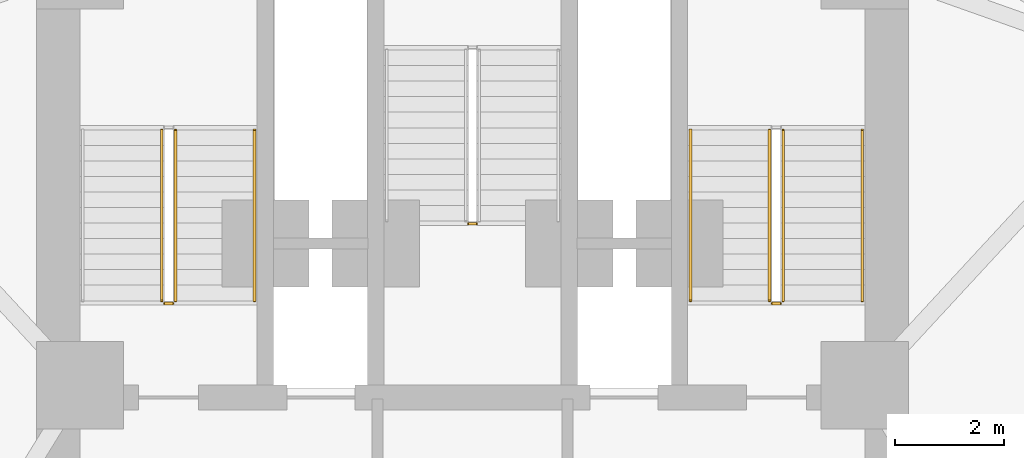
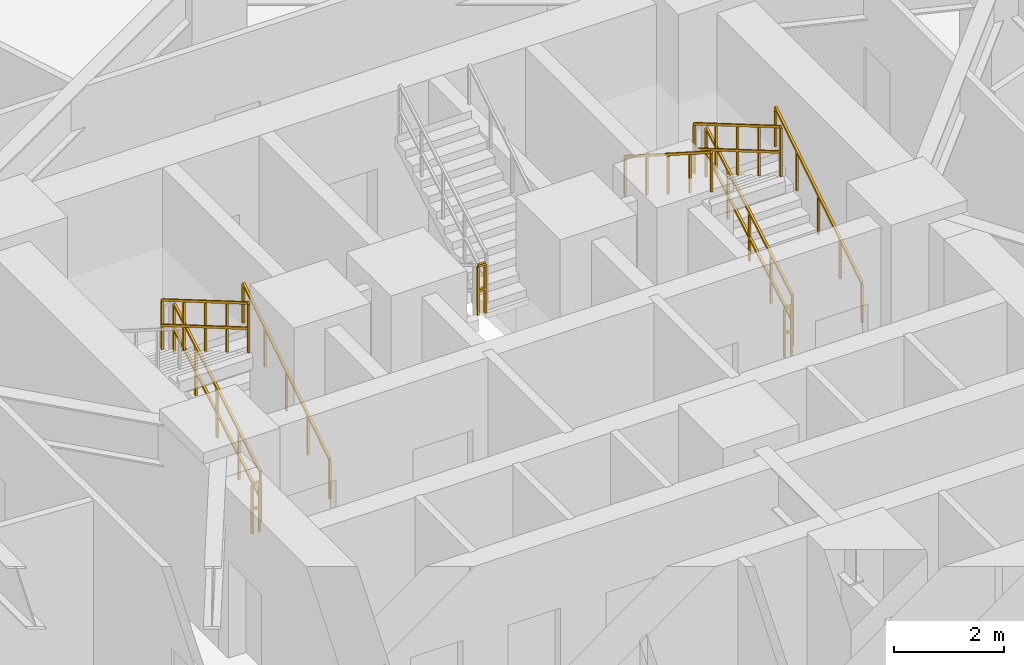
# One storey, part 9 of 12: 10 railings.
"""IFC4 building model written with IfcOpenShell, lengths in metres."""

import ifcopenshell
import ifcopenshell.guid

model = None  # the IFC model being written
_history = None  # IfcOwnerHistory: only IFC2X3 demands one
_inside = {}  # id of a spatial element -> (the spatial element, [elements in it])
_under = {}  # id of a project, library or spatial element -> (it, [spatial elements below it])
_declared = {}  # id of a project -> (the project, [libraries it declares])
_typed = {}  # id of a type object -> (the type object, [elements of that type])
_made_of = {}  # id of a material, layer set ... -> (it, [elements and type objects made of it])


def new_model(schema):
    """Start an empty IFC model of exactly this schema.

    Asked for "IFC4X3", IfcOpenShell would pick the latest addendum, in which some entities
    have other attributes; the version numbers below select the first issue.
    IFC2X3 requires an IfcOwnerHistory on every rooted entity: one is made here for all.
    """
    global model, _history
    if schema == "IFC4X3":
        model = ifcopenshell.file(schema_version=(4, 3, 0, 0))
    else:
        model = ifcopenshell.file(schema=schema)
    _inside.clear()
    _under.clear()
    _declared.clear()
    _typed.clear()
    _made_of.clear()
    _history = None
    if model.schema == "IFC2X3":
        org = make("IfcOrganization", Name="unknown")
        user = make(
            "IfcPersonAndOrganization",
            ThePerson=make("IfcPerson", FamilyName="unknown"),
            TheOrganization=org,
        )
        app = make(
            "IfcApplication",
            ApplicationDeveloper=org,
            Version="unknown",
            ApplicationFullName="unknown",
            ApplicationIdentifier="unknown",
        )
        _history = make(
            "IfcOwnerHistory",
            OwningUser=user,
            OwningApplication=app,
            ChangeAction="ADDED",
            CreationDate=0,
        )
    return model


def make(cls, **values):
    """One entity of the class cls with the attributes given. An attribute that is None is left unset."""
    return model.create_entity(
        cls, **{name: value for name, value in values.items() if value is not None}
    )


def rooted(cls, **values):
    """An entity with a GlobalId (a new one), such as an element, a storey or a relation."""
    return make(cls, GlobalId=ifcopenshell.guid.new(), OwnerHistory=_history, **values)


def si_unit(unit_type, name, prefix=None):
    """IfcSIUnit, for example si_unit("LENGTHUNIT", "METRE", prefix="MILLI")."""
    return make("IfcSIUnit", UnitType=unit_type, Prefix=prefix, Name=name)


def assignment(units):
    """IfcUnitAssignment: the units of a project."""
    return None if units is None else make("IfcUnitAssignment", Units=units)


def point(xyz):
    """IfcCartesianPoint."""
    return None if xyz is None else make("IfcCartesianPoint", Coordinates=xyz)


def direction(xyz):
    """IfcDirection."""
    return None if xyz is None else make("IfcDirection", DirectionRatios=xyz)


def frame(location, z_axis=None, x_axis=None):
    """IfcAxis2Placement3D, a coordinate frame: its origin and axes. An axis left out is left unset."""
    return make(
        "IfcAxis2Placement3D",
        Location=point(location),
        Axis=direction(z_axis),
        RefDirection=direction(x_axis),
    )


def frame_2d(location, x_axis=None):
    """IfcAxis2Placement2D, a coordinate frame in the plane: its origin and x axis."""
    return make(
        "IfcAxis2Placement2D", Location=point(location), RefDirection=direction(x_axis)
    )


def origin():
    """The frame at (0, 0, 0) with its axes left unset."""
    return frame((0.0, 0.0, 0.0))


def origin_2d():
    """The frame at (0, 0) in the plane with its x axis left unset."""
    return frame_2d((0.0, 0.0))


def place(relative_to, where):
    """IfcLocalPlacement: puts the frame where relative to a parent placement (None: the world)."""
    return make(
        "IfcLocalPlacement", PlacementRelTo=relative_to, RelativePlacement=where
    )


def context(
    kind, dimensions, precision=None, world=None, true_north=None, identifier=None
):
    """IfcGeometricRepresentationContext, for example the 3D "Model" context."""
    return make(
        "IfcGeometricRepresentationContext",
        ContextIdentifier=identifier,
        ContextType=kind,
        CoordinateSpaceDimension=dimensions,
        Precision=precision,
        WorldCoordinateSystem=world,
        TrueNorth=true_north,
    )


def subcontext(parent, identifier, kind, view, scale=None):
    """IfcGeometricRepresentationSubContext, for example "Body" below "Model"."""
    return make(
        "IfcGeometricRepresentationSubContext",
        ContextIdentifier=identifier,
        ContextType=kind,
        ParentContext=parent,
        TargetScale=scale,
        TargetView=view,
    )


def project(units=None, contexts=None):
    """IfcProject with its units and contexts."""
    return rooted(
        "IfcProject",
        Name="project",
        RepresentationContexts=contexts,
        UnitsInContext=assignment(units),
    )


def spatial(cls, under=None, at=None, **own):
    """A site, building, storey or space (cls), placed at a placement, below another one or the project."""
    s = rooted(cls, ObjectPlacement=at, **own)
    if under is not None:
        _under.setdefault(under.id(), (under, []))[1].append(s)
    return s


def profile(cls, at=None, kind="AREA", **sizes):
    """A parametric profile (cls). Its sizes go by their IFC names, for example OverallWidth=200.0."""
    return make(cls, ProfileType=kind, Position=at, **sizes)


def rectangle(**sizes):
    """IfcRectangleProfileDef."""
    return profile("IfcRectangleProfileDef", **sizes)


def extrude(swept, where, along, depth):
    """IfcExtrudedAreaSolid: the profile swept, set in the frame where, extruded along a direction by depth."""
    return make(
        "IfcExtrudedAreaSolid",
        SweptArea=swept,
        Position=where,
        ExtrudedDirection=direction(along),
        Depth=depth,
    )


def shape(context_of_items, identifier, shape_type, items):
    """IfcShapeRepresentation: the items that make up one representation, for example the "Body"."""
    return make(
        "IfcShapeRepresentation",
        ContextOfItems=context_of_items,
        RepresentationIdentifier=identifier,
        RepresentationType=shape_type,
        Items=items,
    )


def material(Name=None, Category=None):
    """IfcMaterial."""
    return make("IfcMaterial", Name=Name, Category=Category)


def made_of(thing, what):
    """Note that an element or type object is made of a material, layer set ...; save() writes the relation."""
    if what is not None:
        _made_of.setdefault(what.id(), (what, []))[1].append(thing)
    return thing


def type_object(cls, material=None, **own):
    """A type object (cls), such as IfcWallType, which elements share."""
    return made_of(rooted(cls, **own), material)


def element(
    cls,
    number,
    at=None,
    inside=None,
    cuts=None,
    type_object=None,
    material=None,
    context=None,
    identifier="Body",
    shape_type=None,
    held_by="IfcProductDefinitionShape",
    body=None,
    shapes=None,
    **own,
):
    """One element of the class cls, such as IfcWall. Its Tag is "e" and its number.

    at: its placement. inside: the storey or other place that contains it. cuts: it is an
    opening in that element (IfcRelVoidsElement). A single representation is given by context,
    identifier, shape_type and body (its items); several are given by shapes. held_by: the class
    of the entity that holds the representations. save() writes the other relations.
    """
    e = rooted(cls, Tag="e%d" % number, ObjectPlacement=at, **own)
    if body is not None:
        shapes = [shape(context, identifier, shape_type, body)]
    if shapes is not None:
        e.Representation = make(held_by, Representations=shapes)
    if inside is not None:
        _inside.setdefault(inside.id(), (inside, []))[1].append(e)
    if cuts is not None:
        rooted(
            "IfcRelVoidsElement", RelatingBuildingElement=cuts, RelatedOpeningElement=e
        )
    if type_object is not None:
        _typed.setdefault(type_object.id(), (type_object, []))[1].append(e)
    return made_of(e, material)


def aggregate(whole, parts):
    """IfcRelAggregates: a whole, such as a stair, and the parts it consists of."""
    return rooted("IfcRelAggregates", RelatingObject=whole, RelatedObjects=parts)


def save(model, path):
    """Write the relations noted so far, then the file.

    IfcRelAggregates (storeys below a building ...), IfcRelContainedInSpatialStructure (elements
    in a storey), IfcRelDefinesByType, IfcRelAssociatesMaterial and IfcRelDeclares: one each for
    every whole, place, type object, material and project.
    """
    for whole, parts in _under.values():
        aggregate(whole, parts)
    for where, things in _inside.values():
        rooted(
            "IfcRelContainedInSpatialStructure",
            RelatedElements=things,
            RelatingStructure=where,
        )
    for kind, things in _typed.values():
        rooted("IfcRelDefinesByType", RelatedObjects=things, RelatingType=kind)
    for what, things in _made_of.values():
        rooted("IfcRelAssociatesMaterial", RelatedObjects=things, RelatingMaterial=what)
    for by, libraries in _declared.values():
        rooted("IfcRelDeclares", RelatingContext=by, RelatedDefinitions=libraries)
    model.write(path)


model = new_model("IFC4")

# Units and contexts
model_context = context("Model", 3, precision=1e-05, world=origin(), true_north=direction((0.0, 1.0)))
body_context = subcontext(model_context, "Body", "Model", "MODEL_VIEW")
ifc_project = project(units=[si_unit("LENGTHUNIT", "METRE"), si_unit("AREAUNIT", "SQUARE_METRE"), si_unit("VOLUMEUNIT", "CUBIC_METRE"), si_unit("PLANEANGLEUNIT", "RADIAN"), si_unit("MASSUNIT", "GRAM", prefix="KILO")], contexts=[model_context])

# Site, building, storey
site_placement = place(None, origin())
site = spatial("IfcSite", under=ifc_project, at=site_placement, CompositionType="ELEMENT")
building_placement = place(site_placement, origin())
building = spatial("IfcBuilding", under=site, at=building_placement, Name="Apsidion Concourse Tower", CompositionType="ELEMENT")
storey_placement = place(building_placement, frame((0.0, 0.0, 50.39990234375)))
storey = spatial("IfcBuildingStorey", under=building, at=storey_placement, Name="L10", CompositionType="ELEMENT", Elevation=50.39990234375)

# Railings
ifc_material = material(Name="Brushed stainless steel 316", Category="steel")
railing_type_1 = type_object("IfcRailingType", Name="RL-GUARD-1100", PredefinedType="GUARDRAIL", material=ifc_material)
railing_1_placement = place(storey_placement, frame((-5.449951171875, 3.0, 0.166748046875)))
element("IfcRailing", 1, at=railing_1_placement, inside=storey, type_object=railing_type_1, Name="L10 ST1 stair guard 1", PredefinedType="GUARDRAIL", context=body_context, shape_type="SweptSolid", body=[
    extrude(rectangle(XDim=0.048095703125, YDim=0.048095703125, at=origin_2d()), frame((0.0, 0.0, 1.09619140625), z_axis=(0.0, 0.863239559939, 0.504794475164), x_axis=(-1.0, 0.0, 0.0)), (0.0, 0.0, 1.0), 3.631591796875),
    extrude(rectangle(XDim=0.048095703125, YDim=0.048095703125, at=origin_2d()), frame((0.0, 0.0, 0.5361328125), z_axis=(0.0, 0.863239559939, 0.504794475164), x_axis=(-1.0, 0.0, 0.0)), (0.0, 0.0, 1.0), 3.631591796875),
    extrude(rectangle(XDim=0.0419921875, YDim=0.0419921875, at=origin_2d()), origin(), (0.0, 0.0, 1.0), 1.072021484375),
    extrude(rectangle(XDim=0.0419921875, YDim=0.0419921875, at=origin_2d()), frame((0.0, 0.78369140625, 0.458251953125)), (0.0, 0.0, 1.0), 1.072021484375),
    extrude(rectangle(XDim=0.0419921875, YDim=0.0419921875, at=origin_2d()), frame((0.0, 1.5673828125, 0.91650390625)), (0.0, 0.0, 1.0), 1.072021484375),
    extrude(rectangle(XDim=0.0419921875, YDim=0.0419921875, at=origin_2d()), frame((0.0, 2.351318359375, 1.375)), (0.0, 0.0, 1.0), 1.072021484375),
    extrude(rectangle(XDim=0.0419921875, YDim=0.0419921875, at=origin_2d()), frame((0.0, 3.135009765625, 1.833251953125)), (0.0, 0.0, 1.0), 1.072021484375),
])
railing_2_placement = place(storey_placement, frame((-5.699951171875, 6.135009765625, 2.166748046875)))
element("IfcRailing", 2, at=railing_2_placement, inside=storey, type_object=railing_type_1, Name="L10 ST1 stair guard 3", PredefinedType="GUARDRAIL", context=body_context, shape_type="SweptSolid", body=[
    extrude(rectangle(XDim=0.048095703125, YDim=0.048095703125, at=origin_2d()), frame((0.0, 0.0, 1.09619140625), z_axis=(0.0, -0.863239559939, 0.504794475164), x_axis=(1.0, 0.0, 0.0)), (0.0, 0.0, 1.0), 3.631591796875),
    extrude(rectangle(XDim=0.048095703125, YDim=0.048095703125, at=origin_2d()), frame((0.0, 0.0, 0.5361328125), z_axis=(0.0, -0.863239559939, 0.504794475164), x_axis=(1.0, 0.0, 0.0)), (0.0, 0.0, 1.0), 3.631591796875),
    extrude(rectangle(XDim=0.0419921875, YDim=0.0419921875, at=origin_2d()), origin(), (0.0, 0.0, 1.0), 1.072021484375),
    extrude(rectangle(XDim=0.0419921875, YDim=0.0419921875, at=origin_2d()), frame((0.0, -0.78369140625, 0.458251953125)), (0.0, 0.0, 1.0), 1.072021484375),
    extrude(rectangle(XDim=0.0419921875, YDim=0.0419921875, at=origin_2d()), frame((0.0, -1.5673828125, 0.91650390625)), (0.0, 0.0, 1.0), 1.072021484375),
    extrude(rectangle(XDim=0.0419921875, YDim=0.0419921875, at=origin_2d()), frame((0.0, -2.351318359375, 1.375)), (0.0, 0.0, 1.0), 1.072021484375),
    extrude(rectangle(XDim=0.0419921875, YDim=0.0419921875, at=origin_2d()), frame((0.0, -3.135009765625, 1.833251953125)), (0.0, 0.0, 1.0), 1.072021484375),
])
railing_3_placement = place(storey_placement, frame((-5.5, 2.949951171875, 0.0)))
element("IfcRailing", 3, at=railing_3_placement, inside=storey, type_object=railing_type_1, Name="L10 ST1 stair guard 4", PredefinedType="GUARDRAIL", context=body_context, shape_type="SweptSolid", body=[
    extrude(rectangle(XDim=0.048095703125, YDim=0.048095703125, at=origin_2d()), frame((0.0, 0.0, 1.09619140625), z_axis=(-1.0, 0.0, 0.0), x_axis=(0.0, -1.0, 0.0)), (0.0, 0.0, 1.0), 0.14990234375),
    extrude(rectangle(XDim=0.048095703125, YDim=0.048095703125, at=origin_2d()), frame((0.0, 0.0, 0.5361328125), z_axis=(-1.0, 0.0, 0.0), x_axis=(0.0, -1.0, 0.0)), (0.0, 0.0, 1.0), 0.14990234375),
    extrude(rectangle(XDim=0.0419921875, YDim=0.0419921875, at=origin_2d()), origin(), (0.0, 0.0, 1.0), 1.072021484375),
    extrude(rectangle(XDim=0.0419921875, YDim=0.0419921875, at=origin_2d()), frame((-0.14990234375, 0.0, 0.0)), (0.0, 0.0, 1.0), 1.072021484375),
])
railing_4_placement = place(storey_placement, frame((5.699951171875, 3.0, 0.166748046875)))
element("IfcRailing", 4, at=railing_4_placement, inside=storey, type_object=railing_type_1, Name="L10 ST2 stair guard 1", PredefinedType="GUARDRAIL", context=body_context, shape_type="SweptSolid", body=[
    extrude(rectangle(XDim=0.048095703125, YDim=0.048095703125, at=origin_2d()), frame((0.0, 0.0, 1.09619140625), z_axis=(0.0, 0.863239559939, 0.504794475164), x_axis=(-1.0, 0.0, 0.0)), (0.0, 0.0, 1.0), 3.631591796875),
    extrude(rectangle(XDim=0.048095703125, YDim=0.048095703125, at=origin_2d()), frame((0.0, 0.0, 0.5361328125), z_axis=(0.0, 0.863239559939, 0.504794475164), x_axis=(-1.0, 0.0, 0.0)), (0.0, 0.0, 1.0), 3.631591796875),
    extrude(rectangle(XDim=0.0419921875, YDim=0.0419921875, at=origin_2d()), origin(), (0.0, 0.0, 1.0), 1.072021484375),
    extrude(rectangle(XDim=0.0419921875, YDim=0.0419921875, at=origin_2d()), frame((0.0, 0.78369140625, 0.458251953125)), (0.0, 0.0, 1.0), 1.072021484375),
    extrude(rectangle(XDim=0.0419921875, YDim=0.0419921875, at=origin_2d()), frame((0.0, 1.5673828125, 0.91650390625)), (0.0, 0.0, 1.0), 1.072021484375),
    extrude(rectangle(XDim=0.0419921875, YDim=0.0419921875, at=origin_2d()), frame((0.0, 2.351318359375, 1.375)), (0.0, 0.0, 1.0), 1.072021484375),
    extrude(rectangle(XDim=0.0419921875, YDim=0.0419921875, at=origin_2d()), frame((0.0, 3.135009765625, 1.833251953125)), (0.0, 0.0, 1.0), 1.072021484375),
])
railing_5_placement = place(storey_placement, frame((5.449951171875, 6.135009765625, 2.166748046875)))
element("IfcRailing", 5, at=railing_5_placement, inside=storey, type_object=railing_type_1, Name="L10 ST2 stair guard 3", PredefinedType="GUARDRAIL", context=body_context, shape_type="SweptSolid", body=[
    extrude(rectangle(XDim=0.048095703125, YDim=0.048095703125, at=origin_2d()), frame((0.0, 0.0, 1.09619140625), z_axis=(0.0, -0.863239559939, 0.504794475164), x_axis=(1.0, 0.0, 0.0)), (0.0, 0.0, 1.0), 3.631591796875),
    extrude(rectangle(XDim=0.048095703125, YDim=0.048095703125, at=origin_2d()), frame((0.0, 0.0, 0.5361328125), z_axis=(0.0, -0.863239559939, 0.504794475164), x_axis=(1.0, 0.0, 0.0)), (0.0, 0.0, 1.0), 3.631591796875),
    extrude(rectangle(XDim=0.0419921875, YDim=0.0419921875, at=origin_2d()), origin(), (0.0, 0.0, 1.0), 1.072021484375),
    extrude(rectangle(XDim=0.0419921875, YDim=0.0419921875, at=origin_2d()), frame((0.0, -0.78369140625, 0.458251953125)), (0.0, 0.0, 1.0), 1.072021484375),
    extrude(rectangle(XDim=0.0419921875, YDim=0.0419921875, at=origin_2d()), frame((0.0, -1.5673828125, 0.91650390625)), (0.0, 0.0, 1.0), 1.072021484375),
    extrude(rectangle(XDim=0.0419921875, YDim=0.0419921875, at=origin_2d()), frame((0.0, -2.351318359375, 1.375)), (0.0, 0.0, 1.0), 1.072021484375),
    extrude(rectangle(XDim=0.0419921875, YDim=0.0419921875, at=origin_2d()), frame((0.0, -3.135009765625, 1.833251953125)), (0.0, 0.0, 1.0), 1.072021484375),
])
railing_6_placement = place(storey_placement, frame((5.64990234375, 2.949951171875, 0.0)))
element("IfcRailing", 6, at=railing_6_placement, inside=storey, type_object=railing_type_1, Name="L10 ST2 stair guard 4", PredefinedType="GUARDRAIL", context=body_context, shape_type="SweptSolid", body=[
    extrude(rectangle(XDim=0.048095703125, YDim=0.048095703125, at=origin_2d()), frame((0.0, 0.0, 1.09619140625), z_axis=(-1.0, 0.0, 0.0), x_axis=(0.0, -1.0, 0.0)), (0.0, 0.0, 1.0), 0.14990234375),
    extrude(rectangle(XDim=0.048095703125, YDim=0.048095703125, at=origin_2d()), frame((0.0, 0.0, 0.5361328125), z_axis=(-1.0, 0.0, 0.0), x_axis=(0.0, -1.0, 0.0)), (0.0, 0.0, 1.0), 0.14990234375),
    extrude(rectangle(XDim=0.0419921875, YDim=0.0419921875, at=origin_2d()), origin(), (0.0, 0.0, 1.0), 1.072021484375),
    extrude(rectangle(XDim=0.0419921875, YDim=0.0419921875, at=origin_2d()), frame((-0.14990234375, 0.0, 0.0)), (0.0, 0.0, 1.0), 1.072021484375),
])
railing_7_placement = place(storey_placement, frame((-0.074951171875, 4.4150390625, 2.0)))
element("IfcRailing", 7, at=railing_7_placement, inside=storey, type_object=railing_type_1, Name="L10 ST3 stair guard 2", PredefinedType="GUARDRAIL", context=body_context, shape_type="SweptSolid", body=[
    extrude(rectangle(XDim=0.048095703125, YDim=0.048095703125, at=origin_2d()), frame((0.0, 0.0, 1.09619140625), z_axis=(1.0, 0.0, 0.0), x_axis=(0.0, 1.0, 0.0)), (0.0, 0.0, 1.0), 0.14990234375),
    extrude(rectangle(XDim=0.048095703125, YDim=0.048095703125, at=origin_2d()), frame((0.0, 0.0, 0.5361328125), z_axis=(1.0, 0.0, 0.0), x_axis=(0.0, 1.0, 0.0)), (0.0, 0.0, 1.0), 0.14990234375),
    extrude(rectangle(XDim=0.0419921875, YDim=0.0419921875, at=origin_2d()), origin(), (0.0, 0.0, 1.0), 1.072021484375),
    extrude(rectangle(XDim=0.0419921875, YDim=0.0419921875, at=origin_2d()), frame((0.14990234375, 0.0, 0.0)), (0.0, 0.0, 1.0), 1.072021484375),
])
railing_type_2 = type_object("IfcRailingType", Name="RL-HAND-900", PredefinedType="HANDRAIL", material=ifc_material)
for number, where, name in (
    (8, (-4.0, 3.0, 0.166748046875), "L10 ST1 stair handrail 1"),
    (9, (7.14990234375, 3.0, 0.166748046875), "L10 ST2 stair handrail 1"),
):
    element("IfcRailing", number, at=place(storey_placement, frame(where)), inside=storey, type_object=railing_type_2, Name=name, PredefinedType="HANDRAIL", context=body_context, shape_type="SweptSolid", body=[
        extrude(rectangle(XDim=0.048095703125, YDim=0.048095703125, at=origin_2d()), frame((0.0, 0.0, 0.8759765625), z_axis=(0.0, 0.843052688722, 0.537830980921), x_axis=(-1.0, 0.0, 0.0)), (0.0, 0.0, 1.0), 3.71875),
        extrude(rectangle(XDim=0.0419921875, YDim=0.0419921875, at=origin_2d()), origin(), (0.0, 0.0, 1.0), 0.851806640625),
        extrude(rectangle(XDim=0.0419921875, YDim=0.0419921875, at=origin_2d()), frame((0.0, 0.78369140625, 0.5)), (0.0, 0.0, 1.0), 0.851806640625),
        extrude(rectangle(XDim=0.0419921875, YDim=0.0419921875, at=origin_2d()), frame((0.0, 1.5673828125, 1.0)), (0.0, 0.0, 1.0), 0.851806640625),
        extrude(rectangle(XDim=0.0419921875, YDim=0.0419921875, at=origin_2d()), frame((0.0, 2.351318359375, 1.5)), (0.0, 0.0, 1.0), 0.851806640625),
        extrude(rectangle(XDim=0.0419921875, YDim=0.0419921875, at=origin_2d()), frame((0.0, 3.135009765625, 2.0)), (0.0, 0.0, 1.0), 0.851806640625),
    ])
railing_8_placement = place(storey_placement, frame((4.0, 6.135009765625, 2.166748046875)))
element("IfcRailing", 10, at=railing_8_placement, inside=storey, type_object=railing_type_2, Name="L10 ST2 stair handrail 2", PredefinedType="HANDRAIL", context=body_context, shape_type="SweptSolid", body=[
    extrude(rectangle(XDim=0.048095703125, YDim=0.048095703125, at=origin_2d()), frame((0.0, 0.0, 0.8759765625), z_axis=(0.0, -0.843052688722, 0.537830980921), x_axis=(1.0, 0.0, 0.0)), (0.0, 0.0, 1.0), 3.71875),
    extrude(rectangle(XDim=0.0419921875, YDim=0.0419921875, at=origin_2d()), origin(), (0.0, 0.0, 1.0), 0.851806640625),
    extrude(rectangle(XDim=0.0419921875, YDim=0.0419921875, at=origin_2d()), frame((0.0, -0.78369140625, 0.5)), (0.0, 0.0, 1.0), 0.851806640625),
    extrude(rectangle(XDim=0.0419921875, YDim=0.0419921875, at=origin_2d()), frame((0.0, -1.5673828125, 1.0)), (0.0, 0.0, 1.0), 0.851806640625),
    extrude(rectangle(XDim=0.0419921875, YDim=0.0419921875, at=origin_2d()), frame((0.0, -2.351318359375, 1.5)), (0.0, 0.0, 1.0), 0.851806640625),
    extrude(rectangle(XDim=0.0419921875, YDim=0.0419921875, at=origin_2d()), frame((0.0, -3.135009765625, 2.0)), (0.0, 0.0, 1.0), 0.851806640625),
])

save(model, "model.ifc")
